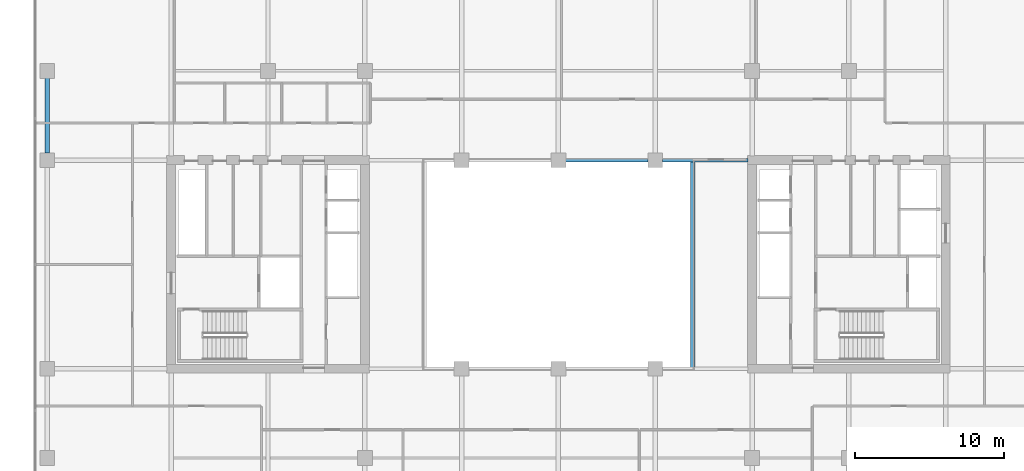
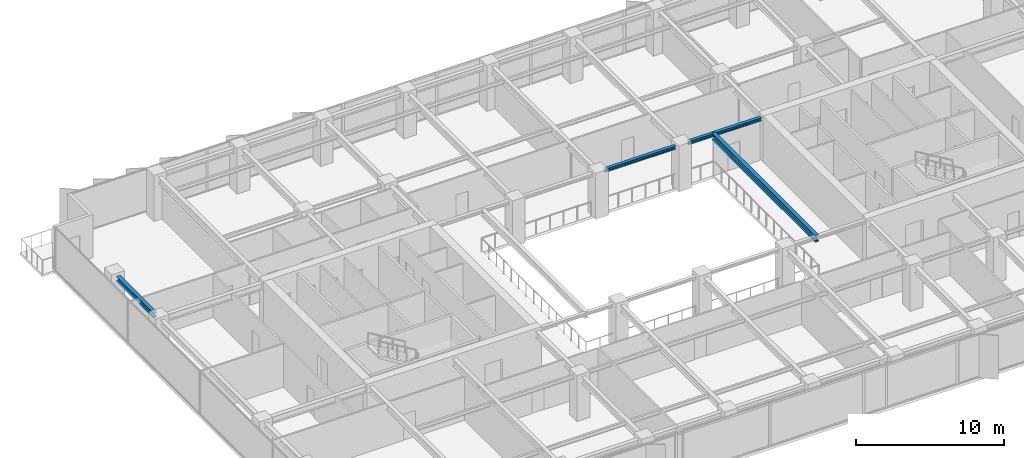
# One storey, part 7 of 22: 4 beams.
"""IFC4 building model written with IfcOpenShell, lengths in metres."""

from ifc_helpers import new_model, si_unit, direction, frame, origin, origin_2d, place, context, subcontext, project, spatial, i_section, extrude, material, material_profile, profile_set, type_object, element, save


model = new_model("IFC4")

# Units and contexts
model_context = context("Model", 3, precision=1e-05, world=origin(), true_north=direction((0.0, 1.0)))
body_context = subcontext(model_context, "Body", "Model", "MODEL_VIEW")
ifc_project = project(units=[si_unit("LENGTHUNIT", "METRE"), si_unit("AREAUNIT", "SQUARE_METRE"), si_unit("VOLUMEUNIT", "CUBIC_METRE"), si_unit("PLANEANGLEUNIT", "RADIAN"), si_unit("MASSUNIT", "GRAM", prefix="KILO")], contexts=[model_context])

# Site, building, storey
site_placement = place(None, origin())
site = spatial("IfcSite", under=ifc_project, at=site_placement, CompositionType="ELEMENT")
building_placement = place(site_placement, origin())
building = spatial("IfcBuilding", under=site, at=building_placement, Name="Putna Gate Headquarters", CompositionType="ELEMENT")
storey_placement = place(building_placement, frame((0.0, 0.0, 148.0)))
storey = spatial("IfcBuildingStorey", under=building, at=storey_placement, Name="L36", CompositionType="ELEMENT", Elevation=148.0)

# Beams
ifc_material = material(Name="Steel S355J2", Category="steel")
ifc_material_profile_1 = material_profile(ifc_material, i_section(OverallWidth=0.260009765625, OverallDepth=0.260009765625, WebThickness=0.010009765625, FlangeThickness=0.017578125, at=origin_2d()), Name="Steel S355J2")
ifc_profile_set_1 = profile_set([ifc_material_profile_1], Name="Steel S355J2")
beam_type_1 = type_object("IfcBeamType", Name="BM-ATRIUM-HEB260", PredefinedType="BEAM", material=ifc_profile_set_1)
beam_1_placement = place(storey_placement, frame((39.488037109375, 33.0, 3.44189453125), z_axis=(1.0, 0.0, 0.0), x_axis=(0.0, 1.0, 0.0)))
element("IfcBeam", 1, at=beam_1_placement, inside=storey, type_object=beam_type_1, Name="L36 Atrium Edge Beam AN3", PredefinedType="BEAM", context=body_context, shape_type="SweptSolid", body=[
    extrude(i_section(OverallWidth=0.260009765625, OverallDepth=0.260009765625, WebThickness=0.010009765625, FlangeThickness=0.017578125, at=origin_2d()), origin(), (0.0, 0.0, 1.0), 5.52392578125),
])
beam_2_placement = place(storey_placement, frame((45.988037109375, 33.0, 3.44189453125), z_axis=(1.0, 0.0, 0.0), x_axis=(0.0, 1.0, 0.0)))
element("IfcBeam", 2, at=beam_2_placement, inside=storey, type_object=beam_type_1, Name="L36 Atrium Edge Beam AN4", PredefinedType="BEAM", context=body_context, shape_type="SweptSolid", body=[
    extrude(i_section(OverallWidth=0.260009765625, OverallDepth=0.260009765625, WebThickness=0.010009765625, FlangeThickness=0.017578125, at=origin_2d()), origin(), (0.0, 0.0, 1.0), 5.72705078125),
])
ifc_material_profile_2 = material_profile(ifc_material, i_section(OverallWidth=0.300048828125, OverallDepth=0.550048828125, WebThickness=0.014892578125, FlangeThickness=0.029052734375, at=origin_2d()), Name="Steel S355J2")
ifc_profile_set_2 = profile_set([ifc_material_profile_2], Name="Steel S355J2")
beam_type_2 = type_object("IfcBeamType", Name="BM-GIRD-Z3-HEB550", PredefinedType="USERDEFINED", material=ifc_profile_set_2)
beam_3_placement = place(storey_placement, frame((48.0, 19.010009765625, 3.297119140625), z_axis=(0.0, 1.0, 0.0), x_axis=(-1.0, 0.0, 0.0)))
element("IfcBeam", 3, at=beam_3_placement, inside=storey, type_object=beam_type_2, Name="L36 Atrium Trim Girder AE", ObjectType="GIRDER", PredefinedType="USERDEFINED", context=body_context, shape_type="SweptSolid", body=[
    extrude(i_section(OverallWidth=0.300048828125, OverallDepth=0.550048828125, WebThickness=0.014892578125, FlangeThickness=0.029052734375, at=origin_2d()), origin(), (0.0, 0.0, 1.0), 13.97998046875),
])
ifc_material_profile_3 = material_profile(ifc_material, i_section(OverallWidth=0.300048828125, OverallDepth=0.39990234375, WebThickness=0.013427734375, FlangeThickness=0.02392578125, at=origin_2d()), Name="Steel S355J2")
ifc_profile_set_3 = profile_set([ifc_material_profile_3], Name="Steel S355J2")
beam_type_3 = type_object("IfcBeamType", Name="BM-SPAN-Z3-HEB400", PredefinedType="SPANDREL", material=ifc_profile_set_3)
beam_4_placement = place(storey_placement, frame((4.679931640625, 33.488037109375, 3.3720703125), z_axis=(0.0, 1.0, 0.0), x_axis=(-1.0, 0.0, 0.0)))
element("IfcBeam", 4, at=beam_4_placement, inside=storey, type_object=beam_type_3, Name="L36 W End Spandrel 3", PredefinedType="SPANDREL", context=body_context, shape_type="SweptSolid", body=[
    extrude(i_section(OverallWidth=0.300048828125, OverallDepth=0.39990234375, WebThickness=0.013427734375, FlangeThickness=0.02392578125, at=origin_2d()), origin(), (0.0, 0.0, 1.0), 5.02392578125),
])

save(model, "model.ifc")
